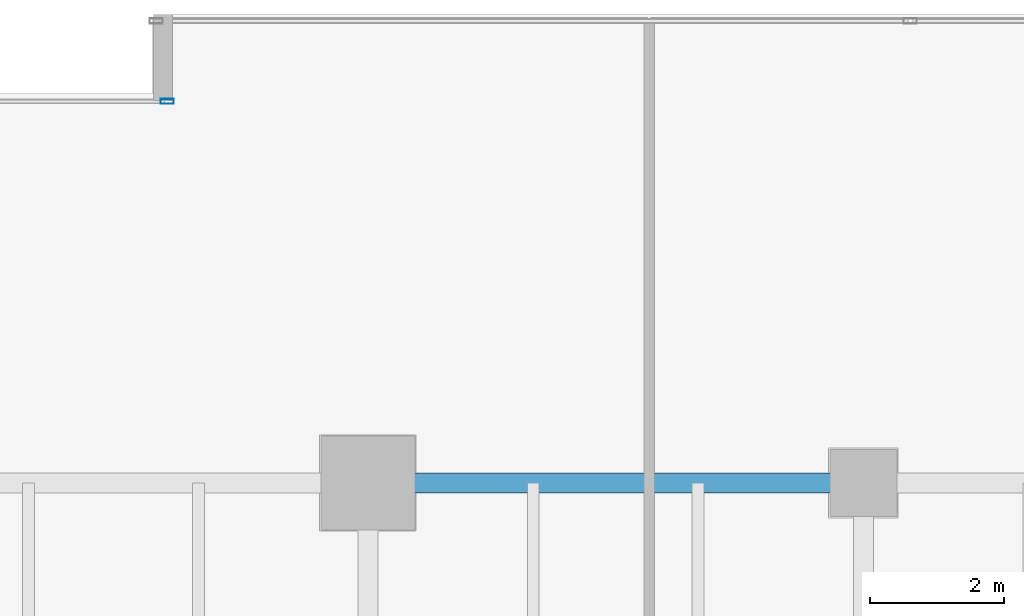
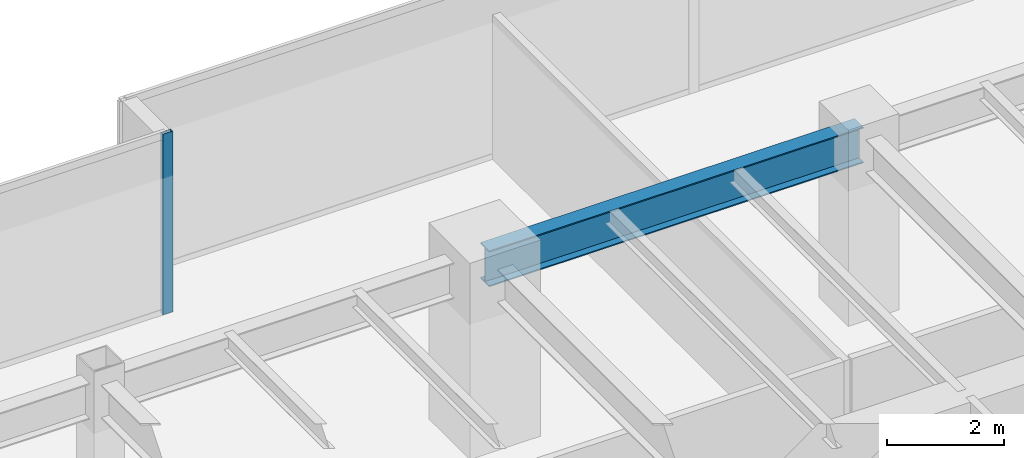
# One storey, part 20 of 36: 1 beam, 1 member, 1 element without a shape of its own.
"""IFC4 building model written with IfcOpenShell, lengths in metres."""

from ifc_helpers import new_model, si_unit, direction, frame, origin, origin_2d, place, context, subcontext, project, spatial, hollow_rectangle, i_section, extrude, source, transform, mapped, material, layer, layer_set, material_profile, profile_set, type_object, type_shapes, element, aggregate, save


model = new_model("IFC4")

# Units and contexts
model_context = context("Model", 3, precision=1e-05, world=origin(), true_north=direction((0.0, 1.0)))
body_context = subcontext(model_context, "Body", "Model", "MODEL_VIEW")
ifc_project = project(units=[si_unit("LENGTHUNIT", "METRE"), si_unit("AREAUNIT", "SQUARE_METRE"), si_unit("VOLUMEUNIT", "CUBIC_METRE"), si_unit("PLANEANGLEUNIT", "RADIAN"), si_unit("MASSUNIT", "GRAM", prefix="KILO")], contexts=[model_context])

# Site, building, storey
site_placement = place(None, origin())
site = spatial("IfcSite", under=ifc_project, at=site_placement, CompositionType="ELEMENT")
building_placement = place(site_placement, origin())
building = spatial("IfcBuilding", under=site, at=building_placement, Name="Haelvirn Gate Laboratories", CompositionType="ELEMENT")
storey_placement = place(building_placement, frame((0.0, 0.0, 53.89990234375)))
storey = spatial("IfcBuildingStorey", under=building, at=storey_placement, Name="L13", CompositionType="ELEMENT", Elevation=53.89990234375)

# Beam
ifc_material_1 = material(Name="Steel SM355", Category="steel")
ifc_material_profile_1 = material_profile(ifc_material_1, i_section(OverallWidth=0.300048828125, OverallDepth=0.75, WebThickness=0.013916015625, FlangeThickness=0.02392578125, at=origin_2d()), Name="H-750x300x14x24")
ifc_profile_set_1 = profile_set([ifc_material_profile_1], Name="Steel SM355")
beam_type = type_object("IfcBeamType", Name="BM-G-750", PredefinedType="BEAM", material=ifc_profile_set_1)
shared_shape_1 = source(origin(), body_context, "Body", "SweptSolid", [
    extrude(i_section(OverallWidth=0.300048828125, OverallDepth=0.75, WebThickness=0.013916015625, FlangeThickness=0.02392578125, at=origin_2d()), origin(), (0.0, 0.0, 1.0), 7.39990234375),
])
type_shapes(beam_type, [shared_shape_1])
beam_placement = place(storey_placement, frame((52.60009765625, 41.60009765625, 3.405029296875), z_axis=(1.0, 0.0, 0.0), x_axis=(0.0, 1.0, 0.0)))
element("IfcBeam", 1, at=beam_placement, inside=storey, type_object=beam_type, Name="L13 Primary Girder Y41.6 (52.6-60.0)", PredefinedType="BEAM", context=body_context, shape_type="MappedRepresentation", body=[
    mapped(shared_shape_1, transform((0.0, 0.0, 0.0), scale=1.0)),
])

# Curtain wall, member
ifc_material_2 = material(Name="Anodised bronze unitised aluminium & triple low-E glass", Category="aluminium")
ifc_layer = layer(ifc_material_2, 0.18408203125, Name="CW-SYS-2")
ifc_layer_set = layer_set([ifc_layer], Name="Anodised bronze unitised aluminium & triple low-E glass")
curtain_wall_type = type_object("IfcCurtainWallType", Name="CW-SYS-2", PredefinedType="NOTDEFINED", material=ifc_layer_set)
curtain_wall_placement = place(storey_placement, origin())
curtain_wall = element("IfcCurtainWall", 2, at=curtain_wall_placement, inside=storey, type_object=curtain_wall_type, Name="L13 Unitised Curtain Wall CW-L13-P0-E12-1", PredefinedType="NOTDEFINED")
ifc_material_3 = material(Name="Extruded aluminium 6063-T6 (anodised bronze)", Category="aluminium")
ifc_material_profile_2 = material_profile(ifc_material_3, hollow_rectangle(XDim=0.074951171875, YDim=0.199951171875, WallThickness=0.0048828125, at=origin_2d()), Name="CWM-200x75x5")
ifc_profile_set_2 = profile_set([ifc_material_profile_2], Name="Extruded aluminium 6063-T6 (anodised bronze)")
member_type = type_object("IfcMemberType", Name="CWM-T200", PredefinedType="MULLION", material=ifc_profile_set_2)
shared_shape_2 = source(origin(), body_context, "Body", "SweptSolid", [
    extrude(hollow_rectangle(XDim=0.074951171875, YDim=0.199951171875, WallThickness=0.0048828125, at=origin_2d()), origin(), (0.0, 0.0, 1.0), 3.780029296875),
])
type_shapes(member_type, [shared_shape_2])
member_placement = place(storey_placement, frame((49.6025390625, 47.300048828125, 0.0), z_axis=(0.0, 0.0, 1.0), x_axis=(0.0, 1.0, 0.0)))
member = element("IfcMember", 3, at=member_placement, type_object=member_type, Name="CW2 mullion 3", PredefinedType="MULLION", context=body_context, shape_type="MappedRepresentation", body=[
    mapped(shared_shape_2, transform((0.0, 0.0, 0.0), scale=1.0)),
])
aggregate(curtain_wall, [member])

save(model, "model.ifc")
